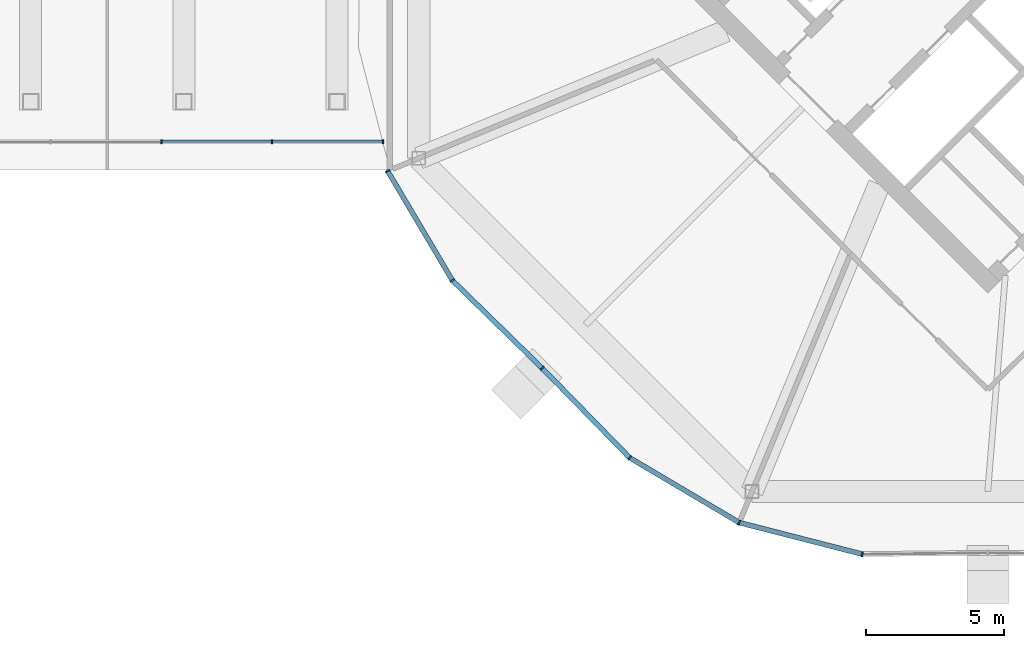
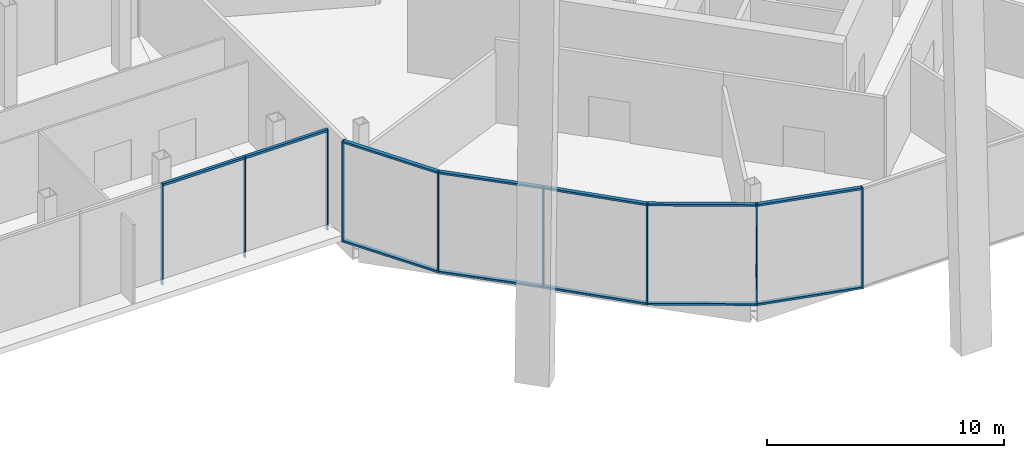
# One storey, part 11 of 28: 21 members, 3 elements without a shape of their own.
"""IFC4 building model written with IfcOpenShell, lengths in metres."""

from ifc_helpers import new_model, si_unit, direction, frame, origin, origin_2d, place, context, subcontext, project, spatial, rectangle, extrude, material, material_profile, profile_set, type_object, element, aggregate, save


model = new_model("IFC4")

# Units and contexts
model_context = context("Model", 3, precision=1e-05, world=origin(), true_north=direction((0.0, 1.0)))
body_context = subcontext(model_context, "Body", "Model", "MODEL_VIEW")
ifc_project = project(units=[si_unit("LENGTHUNIT", "METRE"), si_unit("AREAUNIT", "SQUARE_METRE"), si_unit("VOLUMEUNIT", "CUBIC_METRE"), si_unit("PLANEANGLEUNIT", "RADIAN"), si_unit("MASSUNIT", "GRAM", prefix="KILO")], contexts=[model_context])

# Site, building, storey
site_placement = place(None, origin())
site = spatial("IfcSite", under=ifc_project, at=site_placement, CompositionType="ELEMENT")
building_placement = place(site_placement, origin())
building = spatial("IfcBuilding", under=site, at=building_placement, Name="Ogive Gate Towers", CompositionType="ELEMENT")
storey_placement = place(building_placement, frame((0.0, 0.0, 135.60009765625)))
storey = spatial("IfcBuildingStorey", under=building, at=storey_placement, Name="L32", CompositionType="ELEMENT", Elevation=135.60009765625)

# Curtain wall, members
ifc_material = material(Name="Pale metal aluminium", Category="aluminium")
curtain_wall_type_1 = type_object("IfcCurtainWallType", Name="Gate block facade", PredefinedType="NOTDEFINED", material=ifc_material)
curtain_wall_1_placement = place(storey_placement, origin())
curtain_wall_1 = element("IfcCurtainWall", 1, at=curtain_wall_1_placement, inside=storey, type_object=curtain_wall_type_1, Name="CW3 BR ECW01", PredefinedType="NOTDEFINED")
ifc_material_profile_1 = material_profile(ifc_material, rectangle(XDim=0.139892578125, YDim=0.06005859375, at=origin_2d()), Name="60 x 140 aluminium box")
ifc_profile_set_1 = profile_set([ifc_material_profile_1], Name="Pale metal aluminium")
member_type_1 = type_object("IfcMemberType", Name="Gate block facade mullion 60 x 140", PredefinedType="MULLION", material=ifc_profile_set_1)
member_1_placement = place(storey_placement, frame((6.025634765625, -7.95166015625, -0.300048828125), z_axis=(0.0, 0.0, 1.0), x_axis=(0.0, -1.0, 0.0)))
member_1 = element("IfcMember", 2, at=member_1_placement, type_object=member_type_1, Name="CW3 mullion", PredefinedType="MULLION", context=body_context, shape_type="SweptSolid", body=[
    extrude(rectangle(XDim=0.139892578125, YDim=0.06005859375, at=origin_2d()), origin(), (0.0, 0.0, 1.0), 5.199951171875),
])
member_2_placement = place(storey_placement, frame((10.04296875, -7.95166015625, -0.300048828125), z_axis=(0.0, 0.0, 1.0), x_axis=(0.0, -1.0, 0.0)))
member_2 = element("IfcMember", 3, at=member_2_placement, type_object=member_type_1, Name="CW3 mullion", PredefinedType="MULLION", context=body_context, shape_type="SweptSolid", body=[
    extrude(rectangle(XDim=0.139892578125, YDim=0.06005859375, at=origin_2d()), origin(), (0.0, 0.0, 1.0), 5.199951171875),
])
member_3_placement = place(storey_placement, frame((14.06005859375, -7.95166015625, -0.300048828125), z_axis=(0.0, 0.0, 1.0), x_axis=(0.0, -1.0, 0.0)))
member_3 = element("IfcMember", 4, at=member_3_placement, type_object=member_type_1, Name="CW3 mullion", PredefinedType="MULLION", context=body_context, shape_type="SweptSolid", body=[
    extrude(rectangle(XDim=0.139892578125, YDim=0.06005859375, at=origin_2d()), origin(), (0.0, 0.0, 1.0), 5.199951171875),
])
ifc_material_profile_2 = material_profile(ifc_material, rectangle(XDim=0.139892578125, YDim=0.1201171875, at=origin_2d()), Name="120 x 140 aluminium box")
ifc_profile_set_2 = profile_set([ifc_material_profile_2], Name="Pale metal aluminium")
member_type_2 = type_object("IfcMemberType", Name="Gate block facade transom 120 x 140", PredefinedType="USERDEFINED", material=ifc_profile_set_2)
member_4_placement = place(storey_placement, frame((6.0556640625, -7.95166015625, 4.83984375), z_axis=(1.0, 0.0, 0.0), x_axis=(0.0, 1.0, 0.0)))
member_4 = element("IfcMember", 5, at=member_4_placement, type_object=member_type_2, Name="CW3 transom", ObjectType="TRANSOM", PredefinedType="USERDEFINED", context=body_context, shape_type="SweptSolid", body=[
    extrude(rectangle(XDim=0.139892578125, YDim=0.1201171875, at=origin_2d()), origin(), (0.0, 0.0, 1.0), 3.957275390625),
])
member_5_placement = place(storey_placement, frame((10.072998046875, -7.95166015625, 4.83984375), z_axis=(1.0, 0.0, 0.0), x_axis=(0.0, 1.0, 0.0)))
member_5 = element("IfcMember", 6, at=member_5_placement, type_object=member_type_2, Name="CW3 transom", ObjectType="TRANSOM", PredefinedType="USERDEFINED", context=body_context, shape_type="SweptSolid", body=[
    extrude(rectangle(XDim=0.139892578125, YDim=0.1201171875, at=origin_2d()), origin(), (0.0, 0.0, 1.0), 3.95703125),
])
aggregate(curtain_wall_1, [member_1, member_2, member_4, member_3, member_5])

curtain_wall_type_2 = type_object("IfcCurtainWallType", Name="Tower unitised wall, high zone", PredefinedType="NOTDEFINED", material=ifc_material)
curtain_wall_2_placement = place(storey_placement, origin())
curtain_wall_2 = element("IfcCurtainWall", 7, at=curtain_wall_2_placement, inside=storey, type_object=curtain_wall_type_2, Name="CW2 T2 ECW05", PredefinedType="NOTDEFINED")
ifc_material_profile_3 = material_profile(ifc_material, rectangle(XDim=0.179931640625, YDim=0.06005859375, at=origin_2d()), Name="60 x 180 aluminium box")
ifc_profile_set_3 = profile_set([ifc_material_profile_3], Name="Pale metal aluminium")
member_type_3 = type_object("IfcMemberType", Name="Tower unitised wall, high zone mullion 60 x 180", PredefinedType="MULLION", material=ifc_profile_set_3)
member_6_placement = place(storey_placement, frame((14.231689453125, -9.01513671875, -0.300048828125), z_axis=(0.0, 0.0, 1.0), x_axis=(-0.860626507016, -0.509236698817, 0.0)))
member_6 = element("IfcMember", 8, at=member_6_placement, type_object=member_type_3, Name="CW2 mullion", PredefinedType="MULLION", context=body_context, shape_type="SweptSolid", body=[
    extrude(rectangle(XDim=0.179931640625, YDim=0.06005859375, at=origin_2d()), origin(), (0.0, 0.0, 1.0), 5.199951171875),
])
member_7_placement = place(storey_placement, frame((16.580322265625, -12.984130859375, -0.300048828125), z_axis=(0.0, 0.0, 1.0), x_axis=(-0.78650405792, -0.617585109014, 0.0)))
member_7 = element("IfcMember", 9, at=member_7_placement, type_object=member_type_3, Name="CW2 mullion", PredefinedType="MULLION", context=body_context, shape_type="SweptSolid", body=[
    extrude(rectangle(XDim=0.179931640625, YDim=0.06005859375, at=origin_2d()), origin(), (0.0, 0.0, 1.0), 5.199951171875),
])
member_8_placement = place(storey_placement, frame((19.83544921875, -16.164306640625, -0.300048828125), z_axis=(0.0, 0.0, 1.0), x_axis=(-0.698814894711, -0.715302553421, 0.0)))
member_8 = element("IfcMember", 10, at=member_8_placement, type_object=member_type_3, Name="CW2 mullion", PredefinedType="MULLION", context=body_context, shape_type="SweptSolid", body=[
    extrude(rectangle(XDim=0.179931640625, YDim=0.06005859375, at=origin_2d()), origin(), (0.0, 0.0, 1.0), 5.199951171875),
])

curtain_wall_3_placement = place(storey_placement, origin())
curtain_wall_3 = element("IfcCurtainWall", 11, at=curtain_wall_3_placement, inside=storey, type_object=curtain_wall_type_2, Name="CW2 T2 ECW06", PredefinedType="NOTDEFINED")
member_9_placement = place(storey_placement, frame((23.015869140625, -19.419677734375, -0.300048828125), z_axis=(0.0, 0.0, 1.0), x_axis=(-0.617585109014, -0.78650405792, 0.0)))
member_9 = element("IfcMember", 12, at=member_9_placement, type_object=member_type_3, Name="CW2 mullion", PredefinedType="MULLION", context=body_context, shape_type="SweptSolid", body=[
    extrude(rectangle(XDim=0.179931640625, YDim=0.06005859375, at=origin_2d()), origin(), (0.0, 0.0, 1.0), 5.199951171875),
])
member_10_placement = place(storey_placement, frame((26.983642578125, -21.767578125, -0.300048828125), z_axis=(0.0, 0.0, 1.0), x_axis=(-0.382683432365, -0.923879532511, 0.0)))
member_10 = element("IfcMember", 13, at=member_10_placement, type_object=member_type_3, Name="CW2 mullion", PredefinedType="MULLION", context=body_context, shape_type="SweptSolid", body=[
    extrude(rectangle(XDim=0.179931640625, YDim=0.06005859375, at=origin_2d()), origin(), (0.0, 0.0, 1.0), 5.199951171875),
])
member_11_placement = place(storey_placement, frame((31.449462890625, -22.9130859375, -0.300048828125), z_axis=(0.0, 0.0, 1.0), x_axis=(-0.119443734243, -0.992840971329, 0.0)))
member_11 = element("IfcMember", 14, at=member_11_placement, type_object=member_type_3, Name="CW2 mullion", PredefinedType="MULLION", context=body_context, shape_type="SweptSolid", body=[
    extrude(rectangle(XDim=0.179931640625, YDim=0.06005859375, at=origin_2d()), origin(), (0.0, 0.0, 1.0), 5.199951171875),
])

# Member
ifc_material_profile_4 = material_profile(ifc_material, rectangle(XDim=0.179931640625, YDim=0.10009765625, at=origin_2d()), Name="100 x 180 aluminium box")
ifc_profile_set_4 = profile_set([ifc_material_profile_4], Name="Pale metal aluminium")
member_type_4 = type_object("IfcMemberType", Name="Tower unitised wall, high zone transom 100 x 180", PredefinedType="USERDEFINED", material=ifc_profile_set_4)
member_12_placement = place(storey_placement, frame((14.2470703125, -9.041015625, 4.849853515625), z_axis=(0.509242279072, -0.860623205128, 0.0), x_axis=(0.860623205128, 0.509242279072, 0.0)))
member_12 = element("IfcMember", 15, at=member_12_placement, type_object=member_type_4, Name="CW2 transom", ObjectType="TRANSOM", PredefinedType="USERDEFINED", context=body_context, shape_type="SweptSolid", body=[
    extrude(rectangle(XDim=0.179931640625, YDim=0.10009765625, at=origin_2d()), origin(), (0.0, 0.0, 1.0), 4.552978515625),
])

member_13_placement = place(storey_placement, frame((14.2470703125, -9.041015625, -0.25), z_axis=(0.509242279072, -0.860623205128, 0.0), x_axis=(0.860623205128, 0.509242279072, 0.0)))
member_13 = element("IfcMember", 16, at=member_13_placement, type_object=member_type_4, Name="CW2 transom", ObjectType="TRANSOM", PredefinedType="USERDEFINED", context=body_context, shape_type="SweptSolid", body=[
    extrude(rectangle(XDim=0.179931640625, YDim=0.10009765625, at=origin_2d()), origin(), (0.0, 0.0, 1.0), 4.552978515625),
])

member_14_placement = place(storey_placement, frame((16.600830078125, -13.004150390625, 4.849853515625), z_axis=(0.715292777152, -0.698824901498, 0.0), x_axis=(0.698824901498, 0.715292777152, 0.0)))
member_14 = element("IfcMember", 17, at=member_14_placement, type_object=member_type_4, Name="CW2 transom", ObjectType="TRANSOM", PredefinedType="USERDEFINED", context=body_context, shape_type="SweptSolid", body=[
    extrude(rectangle(XDim=0.179931640625, YDim=0.10009765625, at=origin_2d()), origin(), (0.0, 0.0, 1.0), 4.491943359375),
])

member_15_placement = place(storey_placement, frame((16.600830078125, -13.004150390625, -0.25), z_axis=(0.715292777152, -0.698824901498, 0.0), x_axis=(0.698824901498, 0.715292777152, 0.0)))
member_15 = element("IfcMember", 18, at=member_15_placement, type_object=member_type_4, Name="CW2 transom", ObjectType="TRANSOM", PredefinedType="USERDEFINED", context=body_context, shape_type="SweptSolid", body=[
    extrude(rectangle(XDim=0.179931640625, YDim=0.10009765625, at=origin_2d()), origin(), (0.0, 0.0, 1.0), 4.491943359375),
])

aggregate(curtain_wall_2, [member_6, member_7, member_12, member_13, member_8, member_14, member_15])

member_16_placement = place(storey_placement, frame((19.856689453125, -16.18603515625, 4.849853515625), z_axis=(0.698824901498, -0.715292777152, 0.0), x_axis=(0.715292777152, 0.698824901498, 0.0)))
member_16 = element("IfcMember", 19, at=member_16_placement, type_object=member_type_4, Name="CW2 transom", ObjectType="TRANSOM", PredefinedType="USERDEFINED", context=body_context, shape_type="SweptSolid", body=[
    extrude(rectangle(XDim=0.179931640625, YDim=0.10009765625, at=origin_2d()), origin(), (0.0, 0.0, 1.0), 4.491943359375),
])

member_17_placement = place(storey_placement, frame((19.856689453125, -16.18603515625, -0.25), z_axis=(0.698824901498, -0.715292777152, 0.0), x_axis=(0.715292777152, 0.698824901498, 0.0)))
member_17 = element("IfcMember", 20, at=member_17_placement, type_object=member_type_4, Name="CW2 transom", ObjectType="TRANSOM", PredefinedType="USERDEFINED", context=body_context, shape_type="SweptSolid", body=[
    extrude(rectangle(XDim=0.179931640625, YDim=0.10009765625, at=origin_2d()), origin(), (0.0, 0.0, 1.0), 4.491943359375),
])

member_18_placement = place(storey_placement, frame((23.04052734375, -19.434326171875, 4.849853515625), z_axis=(0.860623205128, -0.509242279072, 0.0), x_axis=(0.509242279072, 0.860623205128, 0.0)))
member_18 = element("IfcMember", 21, at=member_18_placement, type_object=member_type_4, Name="CW2 transom", ObjectType="TRANSOM", PredefinedType="USERDEFINED", context=body_context, shape_type="SweptSolid", body=[
    extrude(rectangle(XDim=0.179931640625, YDim=0.10009765625, at=origin_2d()), origin(), (0.0, 0.0, 1.0), 4.552978515625),
])

member_19_placement = place(storey_placement, frame((23.04052734375, -19.434326171875, -0.25), z_axis=(0.860623205128, -0.509242279072, 0.0), x_axis=(0.509242279072, 0.860623205128, 0.0)))
member_19 = element("IfcMember", 22, at=member_19_placement, type_object=member_type_4, Name="CW2 transom", ObjectType="TRANSOM", PredefinedType="USERDEFINED", context=body_context, shape_type="SweptSolid", body=[
    extrude(rectangle(XDim=0.179931640625, YDim=0.10009765625, at=origin_2d()), origin(), (0.0, 0.0, 1.0), 4.552978515625),
])

member_20_placement = place(storey_placement, frame((27.01123046875, -21.774658203125, 4.849853515625), z_axis=(0.96863872171, -0.248473392549, 0.0), x_axis=(0.248473392549, 0.96863872171, 0.0)))
member_20 = element("IfcMember", 23, at=member_20_placement, type_object=member_type_4, Name="CW2 transom", ObjectType="TRANSOM", PredefinedType="USERDEFINED", context=body_context, shape_type="SweptSolid", body=[
    extrude(rectangle(XDim=0.179931640625, YDim=0.10009765625, at=origin_2d()), origin(), (0.0, 0.0, 1.0), 4.55322265625),
])

member_21_placement = place(storey_placement, frame((27.01123046875, -21.774658203125, -0.25), z_axis=(0.96863872171, -0.248473392549, 0.0), x_axis=(0.248473392549, 0.96863872171, 0.0)))
member_21 = element("IfcMember", 24, at=member_21_placement, type_object=member_type_4, Name="CW2 transom", ObjectType="TRANSOM", PredefinedType="USERDEFINED", context=body_context, shape_type="SweptSolid", body=[
    extrude(rectangle(XDim=0.179931640625, YDim=0.10009765625, at=origin_2d()), origin(), (0.0, 0.0, 1.0), 4.55322265625),
])

aggregate(curtain_wall_3, [member_9, member_16, member_17, member_10, member_18, member_19, member_11, member_20, member_21])

save(model, "model.ifc")
